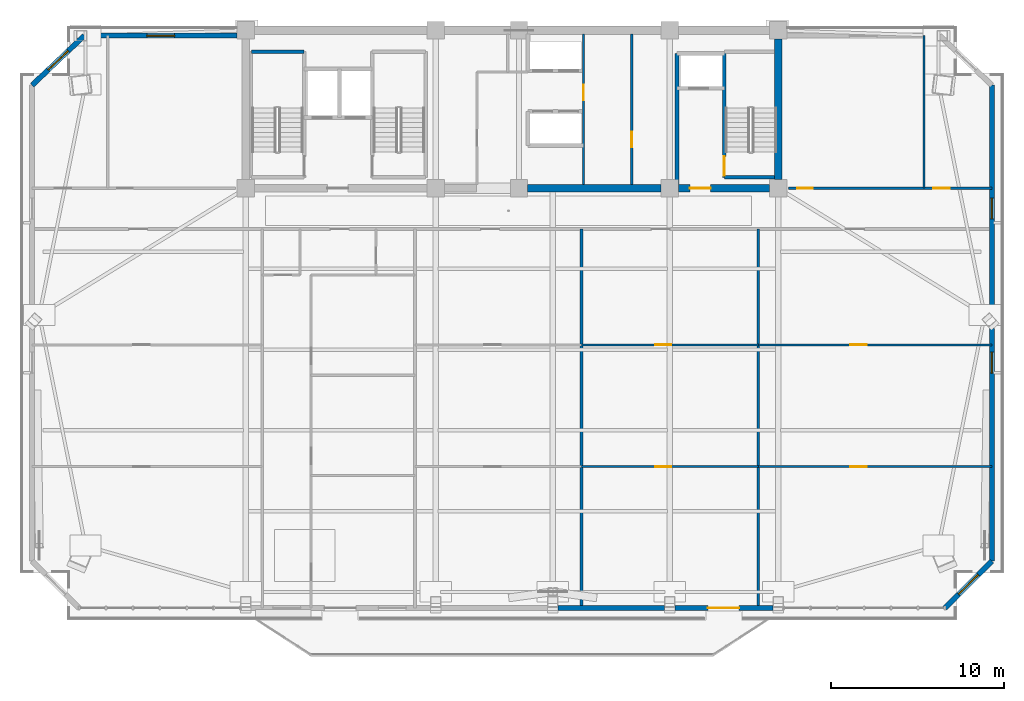
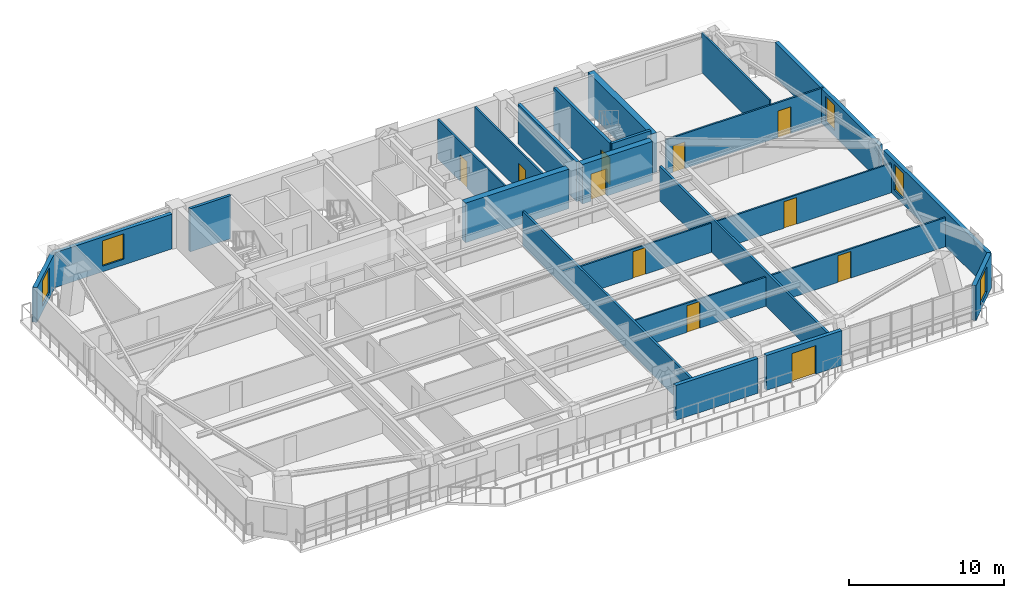
# One storey, part 10 of 16: 24 walls, 11 doors, 5 windows, 16 openings.
"""IFC4 building model written with IfcOpenShell, lengths in metres."""

from ifc_helpers import new_model, si_unit, direction, frame, frame_2d, origin, place, context, subcontext, project, spatial, rectangle, extrude, source, transform, mapped, material, layer, layer_set, type_object, element, fill, save


model = new_model("IFC4")

# Units and contexts
model_context = context("Model", 3, precision=1e-05, world=origin(), true_north=direction((0.0, 1.0)))
body_context = subcontext(model_context, "Body", "Model", "MODEL_VIEW")
ifc_project = project(units=[si_unit("LENGTHUNIT", "METRE"), si_unit("AREAUNIT", "SQUARE_METRE"), si_unit("VOLUMEUNIT", "CUBIC_METRE"), si_unit("PLANEANGLEUNIT", "RADIAN"), si_unit("MASSUNIT", "GRAM", prefix="KILO")], contexts=[model_context])

# Site, building, storey
site_placement = place(None, origin())
site = spatial("IfcSite", under=ifc_project, at=site_placement, CompositionType="ELEMENT")
building_placement = place(site_placement, origin())
building = spatial("IfcBuilding", under=site, at=building_placement, Name="Giltprow Tower", CompositionType="ELEMENT")
storey_placement = place(building_placement, frame((0.0, 0.0, 233.800048828125)))
storey = spatial("IfcBuildingStorey", under=building, at=storey_placement, Name="L59", CompositionType="ELEMENT", Elevation=233.800048828125)

# Wall, opening, window
ifc_material_1 = material(Name="Precast concrete C40", Category="concrete")
ifc_layer_1 = layer(ifc_material_1, 0.300048828125, Name="Precast concrete C40")
ifc_layer_set_1 = layer_set([ifc_layer_1], Name="Precast concrete C40")
wall_type_1 = type_object("IfcWallType", Name="EW-NOTCH-CHAMFER-300", PredefinedType="SOLIDWALL", material=ifc_layer_set_1)
wall_1_placement = place(storey_placement, frame((60.159912109375, 13.25, 0.0), z_axis=(0.0, 0.0, 1.0), x_axis=(0.707106781187, 0.707106781187, 0.0)))
wall_1 = element("IfcWall", 1, at=wall_1_placement, inside=storey, type_object=wall_type_1, Name="L59 Corner Notch Wall SE", PredefinedType="SOLIDWALL", context=body_context, shape_type="SweptSolid", body=[
    extrude(rectangle(XDim=3.828369140625, YDim=0.300048828125, at=frame_2d((1.9140625, 0.0))), origin(), (0.0, 0.0, 1.0), 2.75),
])
opening_1_placement = place(wall_1_placement, frame((1.114013671875, 0.0, 0.449951171875)))
opening_1 = element("IfcOpeningElement", 2, at=opening_1_placement, cuts=wall_1, Name="Opening WN17", PredefinedType="OPENING", context=body_context, shape_type="SweptSolid", body=[
    extrude(rectangle(XDim=1.60009765625, YDim=2.0, at=frame_2d((0.800048828125, 1.0))), frame((0.0, 0.159912109375, 0.0), z_axis=(0.0, -1.0, 0.0), x_axis=(1.0, 0.0, 0.0)), (0.0, 0.0, 1.0), 0.320068359375),
])
ifc_material_2 = material(Name="Insulated glass", Category="glass")
window_type_1 = type_object("IfcWindowType", Name="WN-COR-1600x2000", PartitioningType="SINGLE_PANEL", PredefinedType="WINDOW", material=ifc_material_2)
shared_shape_1 = source(origin(), body_context, "Body", "SweptSolid", [
    extrude(rectangle(XDim=1.60009765625, YDim=2.0, at=frame_2d((0.800048828125, 1.0))), frame((0.0, 0.030029296875, 0.0), z_axis=(0.0, -1.0, 0.0), x_axis=(1.0, 0.0, 0.0)), (0.0, 0.0, 1.0), 0.06005859375),
])
window_1_placement = place(opening_1_placement, origin())
window_1 = element("IfcWindow", 3, at=window_1_placement, inside=storey, type_object=window_type_1, Name="L59 Corner Notch Window SE", OverallHeight=2.0, OverallWidth=1.60009765625, PartitioningType="SINGLE_PANEL", PredefinedType="WINDOW", context=body_context, shape_type="MappedRepresentation", body=[
    mapped(shared_shape_1, transform((0.0, 0.0, 0.0), x_axis=(1.0, 0.0, 0.0), y_axis=(0.0, 1.0, 0.0), z_axis=(0.0, 0.0, 1.0), scale=1.0)),
])
fill(opening_1, window_1)

wall_2_placement = place(storey_placement, frame((10.5400390625, 46.25, 0.0), z_axis=(0.0, 0.0, 1.0), x_axis=(-0.724974450633, -0.688775758814, 0.0)))
wall_2 = element("IfcWall", 4, at=wall_2_placement, inside=storey, type_object=wall_type_1, Name="L59 Corner Notch Wall NW", PredefinedType="SOLIDWALL", context=body_context, shape_type="SweptSolid", body=[
    extrude(rectangle(XDim=4.14794921875, YDim=0.300048828125, at=frame_2d((2.073974609375, 0.0))), origin(), (0.0, 0.0, 1.0), 2.75),
])
opening_2_placement = place(wall_2_placement, frame((1.27392578125, 0.0, 0.449951171875)))
opening_2 = element("IfcOpeningElement", 5, at=opening_2_placement, cuts=wall_2, Name="Opening WN17", PredefinedType="OPENING", context=body_context, shape_type="SweptSolid", body=[
    extrude(rectangle(XDim=1.60009765625, YDim=2.0, at=frame_2d((0.800048828125, 1.0))), frame((0.0, 0.159912109375, 0.0), z_axis=(0.0, -1.0, 0.0), x_axis=(1.0, 0.0, 0.0)), (0.0, 0.0, 1.0), 0.320068359375),
])
window_2_placement = place(opening_2_placement, origin())
window_2 = element("IfcWindow", 6, at=window_2_placement, inside=storey, type_object=window_type_1, Name="L59 Corner Notch Window NW", OverallHeight=2.0, OverallWidth=1.60009765625, PartitioningType="SINGLE_PANEL", PredefinedType="WINDOW", context=body_context, shape_type="MappedRepresentation", body=[
    mapped(shared_shape_1, transform((0.0, 0.0, 0.0), x_axis=(1.0, 0.0, 0.0), y_axis=(0.0, 1.0, 0.0), z_axis=(0.0, 0.0, 1.0), scale=1.0)),
])
fill(opening_2, window_2)

# Wall
ifc_layer_2 = layer(ifc_material_1, 0.280029296875, Name="Precast concrete C40")
ifc_layer_set_2 = layer_set([ifc_layer_2], Name="Precast concrete C40")
wall_type_2 = type_object("IfcWallType", Name="EW-TOW-BRONZE-280", PredefinedType="SOLIDWALL", material=ifc_layer_set_2)
wall_3_placement = place(storey_placement, frame((37.85009765625, 13.25, 0.0), z_axis=(0.0, 0.0, 1.0), x_axis=(1.0, 0.0, 0.0)))
element("IfcWall", 7, at=wall_3_placement, inside=storey, type_object=wall_type_2, Name="L59 South Expressed Frame Wall 4", PredefinedType="SOLIDWALL", context=body_context, shape_type="SweptSolid", body=[
    extrude(rectangle(XDim=6.14990234375, YDim=0.280029296875, at=frame_2d((3.074951171875, 0.0))), origin(), (0.0, 0.0, 1.0), 2.75),
])

# Wall, opening, door
wall_4_placement = place(storey_placement, frame((44.60009765625, 13.25, 0.0), z_axis=(0.0, 0.0, 1.0), x_axis=(1.0, 0.0, 0.0)))
wall_4 = element("IfcWall", 8, at=wall_4_placement, inside=storey, type_object=wall_type_2, Name="L59 South Expressed Frame Wall 5", PredefinedType="SOLIDWALL", context=body_context, shape_type="SweptSolid", body=[
    extrude(rectangle(XDim=5.64990234375, YDim=0.280029296875, at=frame_2d((2.824951171875, 0.0))), origin(), (0.0, 0.0, 1.0), 2.75),
])
opening_3_placement = place(wall_4_placement, frame((1.89990234375, 0.0, 0.0)))
opening_3 = element("IfcOpeningElement", 9, at=opening_3_placement, cuts=wall_4, Name="Opening ED25", PredefinedType="OPENING", context=body_context, shape_type="SweptSolid", body=[
    extrude(rectangle(XDim=1.800048828125, YDim=2.25, at=frame_2d((0.89990234375, 1.125))), frame((0.0, 0.14990234375, 0.0), z_axis=(0.0, -1.0, 0.0), x_axis=(1.0, 0.0, 0.0)), (0.0, 0.0, 1.0), 0.300048828125),
])
ifc_material_3 = material(Name="Anodized bronze and glass", Category="glass")
door_type_1 = type_object("IfcDoorType", Name="DR-BALC-SLIDE-1800", OperationType="SLIDING_TO_LEFT", PredefinedType="DOOR", material=ifc_material_3)
shared_shape_2 = source(origin(), body_context, "Body", "SweptSolid", [
    extrude(rectangle(XDim=1.800048828125, YDim=2.25, at=frame_2d((0.89990234375, 1.125))), frame((0.0, 0.02490234375, 0.0), z_axis=(0.0, -1.0, 0.0), x_axis=(1.0, 0.0, 0.0)), (0.0, 0.0, 1.0), 0.050048828125),
])
door_1_placement = place(opening_3_placement, origin())
door_1 = element("IfcDoor", 10, at=door_1_placement, inside=storey, type_object=door_type_1, Name="L59 Waterfront Balcony Sliding Door 2", OperationType="SLIDING_TO_LEFT", OverallHeight=2.25, OverallWidth=1.800048828125, PredefinedType="DOOR", context=body_context, shape_type="MappedRepresentation", body=[
    mapped(shared_shape_2, transform((0.0, 0.0, 0.0), x_axis=(1.0, 0.0, 0.0), y_axis=(0.0, 1.0, 0.0), z_axis=(0.0, 0.0, 1.0), scale=1.0)),
])
fill(opening_3, door_1)

# Wall, opening, window
wall_5_placement = place(storey_placement, frame((62.866943359375, 15.95703125, 0.0), z_axis=(0.0, 0.0, 1.0), x_axis=(0.0, 1.0, 0.0)))
wall_5 = element("IfcWall", 11, at=wall_5_placement, inside=storey, type_object=wall_type_2, Name="L59 E Wing Masonry Wall 1", PredefinedType="SOLIDWALL", context=body_context, shape_type="SweptSolid", body=[
    extrude(rectangle(XDim=13.41796875, YDim=0.280029296875, at=frame_2d((6.708984375, 0.0))), origin(), (0.0, 0.0, 1.0), 2.75),
])
opening_4_placement = place(wall_5_placement, frame((10.837890625, 0.0, 0.449951171875)))
opening_4 = element("IfcOpeningElement", 12, at=opening_4_placement, cuts=wall_5, Name="Opening WN11", PredefinedType="OPENING", context=body_context, shape_type="SweptSolid", body=[
    extrude(rectangle(XDim=1.199951171875, YDim=2.0, at=frame_2d((0.60009765625, 1.0))), frame((0.0, 0.14990234375, 0.0), z_axis=(0.0, -1.0, 0.0), x_axis=(1.0, 0.0, 0.0)), (0.0, 0.0, 1.0), 0.300048828125),
])
window_type_2 = type_object("IfcWindowType", Name="WN-LANCET-1200x2000", PartitioningType="SINGLE_PANEL", PredefinedType="WINDOW", material=ifc_material_2)
shared_shape_3 = source(origin(), body_context, "Body", "SweptSolid", [
    extrude(rectangle(XDim=1.199951171875, YDim=2.0, at=frame_2d((0.60009765625, 1.0))), frame((0.0, 0.030029296875, 0.0), z_axis=(0.0, -1.0, 0.0), x_axis=(1.0, 0.0, 0.0)), (0.0, 0.0, 1.0), 0.06005859375),
])
window_3_placement = place(opening_4_placement, origin())
window_3 = element("IfcWindow", 13, at=window_3_placement, inside=storey, type_object=window_type_2, Name="L59 E Wing Window 1-1", OverallHeight=2.0, OverallWidth=1.199951171875, PartitioningType="SINGLE_PANEL", PredefinedType="WINDOW", context=body_context, shape_type="MappedRepresentation", body=[
    mapped(shared_shape_3, transform((0.0, 0.0, 0.0), x_axis=(1.0, 0.0, 0.0), y_axis=(0.0, 1.0, 0.0), z_axis=(0.0, 0.0, 1.0), scale=1.0)),
])
fill(opening_4, window_3)

wall_6_placement = place(storey_placement, frame((62.866943359375, 29.97509765625, 0.0), z_axis=(0.0, 0.0, 1.0), x_axis=(0.0, 1.0, 0.0)))
wall_6 = element("IfcWall", 14, at=wall_6_placement, inside=storey, type_object=wall_type_2, Name="L59 E Wing Masonry Wall 2", PredefinedType="SOLIDWALL", context=body_context, shape_type="SweptSolid", body=[
    extrude(rectangle(XDim=13.41796875, YDim=0.280029296875, at=frame_2d((6.708984375, 0.0))), origin(), (0.0, 0.0, 1.0), 2.75),
])
opening_5_placement = place(wall_6_placement, frame((5.705078125, 0.0, 0.449951171875)))
opening_5 = element("IfcOpeningElement", 15, at=opening_5_placement, cuts=wall_6, Name="Opening WN11", PredefinedType="OPENING", context=body_context, shape_type="SweptSolid", body=[
    extrude(rectangle(XDim=1.199951171875, YDim=2.0, at=frame_2d((0.60009765625, 1.0))), frame((0.0, 0.14990234375, 0.0), z_axis=(0.0, -1.0, 0.0), x_axis=(1.0, 0.0, 0.0)), (0.0, 0.0, 1.0), 0.300048828125),
])
window_4_placement = place(opening_5_placement, origin())
window_4 = element("IfcWindow", 16, at=window_4_placement, inside=storey, type_object=window_type_2, Name="L59 E Wing Window 2-1", OverallHeight=2.0, OverallWidth=1.199951171875, PartitioningType="SINGLE_PANEL", PredefinedType="WINDOW", context=body_context, shape_type="MappedRepresentation", body=[
    mapped(shared_shape_3, transform((0.0, 0.0, 0.0), x_axis=(1.0, 0.0, 0.0), y_axis=(0.0, 1.0, 0.0), z_axis=(0.0, 0.0, 1.0), scale=1.0)),
])
fill(opening_5, window_4)

wall_7_placement = place(storey_placement, frame((10.5400390625, 46.25, 0.0), z_axis=(0.0, 0.0, 1.0), x_axis=(1.0, 0.0, 0.0)))
wall_7 = element("IfcWall", 17, at=wall_7_placement, inside=storey, type_object=wall_type_2, Name="L59 North-West Wing Wall", PredefinedType="SOLIDWALL", context=body_context, shape_type="SweptSolid", body=[
    extrude(rectangle(XDim=8.81005859375, YDim=0.280029296875, at=frame_2d((4.405029296875, 0.0))), origin(), (0.0, 0.0, 1.0), 2.75),
])
opening_6_placement = place(wall_7_placement, frame((3.60498046875, 0.0, 0.449951171875)))
opening_6 = element("IfcOpeningElement", 18, at=opening_6_placement, cuts=wall_7, Name="Opening WN17", PredefinedType="OPENING", context=body_context, shape_type="SweptSolid", body=[
    extrude(rectangle(XDim=1.60009765625, YDim=2.0, at=frame_2d((0.800048828125, 1.0))), frame((0.0, 0.14990234375, 0.0), z_axis=(0.0, -1.0, 0.0), x_axis=(1.0, 0.0, 0.0)), (0.0, 0.0, 1.0), 0.300048828125),
])
window_5_placement = place(opening_6_placement, origin())
window_5 = element("IfcWindow", 19, at=window_5_placement, inside=storey, type_object=window_type_1, Name="L59 North-West Window", OverallHeight=2.0, OverallWidth=1.60009765625, PartitioningType="SINGLE_PANEL", PredefinedType="WINDOW", context=body_context, shape_type="MappedRepresentation", body=[
    mapped(shared_shape_1, transform((0.0, 0.0, 0.0), x_axis=(1.0, 0.0, 0.0), y_axis=(0.0, 1.0, 0.0), z_axis=(0.0, 0.0, 1.0), scale=1.0)),
])
fill(opening_6, window_5)

# Walls
ifc_material_4 = material(Name="Gypsum stud partition", Category="gypsum")
ifc_layer_3 = layer(ifc_material_4, 0.159912109375, Name="Gypsum stud partition")
ifc_layer_set_3 = layer_set([ifc_layer_3], Name="Gypsum stud partition")
wall_type_3 = type_object("IfcWallType", Name="IW-DEMISE-160", PredefinedType="PARTITIONING", material=ifc_layer_set_3)
for number, where, z_axis, x_axis, name in (
    (20, (39.199951171875, 13.25, 0.0), (0.0, 0.0, 1.0), (0.0, 1.0, 0.0), "L59 Apartment Party Wall 3"),
    (21, (49.39990234375, 13.25, 0.0), (0.0, 0.0, 1.0), (0.0, 1.0, 0.0), "L59 Apartment Party Wall 4"),
):
    element("IfcWall", number, at=place(storey_placement, frame(where, z_axis=z_axis, x_axis=x_axis)), inside=storey, type_object=wall_type_3, Name=name, PredefinedType="PARTITIONING", context=body_context, shape_type="SweptSolid", body=[
        extrude(rectangle(XDim=21.85009765625, YDim=0.159912109375, at=frame_2d((10.925048828125, 0.0))), origin(), (0.0, 0.0, 1.0), 2.704833984375),
    ])

# Wall, opening, door
ifc_layer_4 = layer(ifc_material_4, 0.1201171875, Name="Gypsum stud partition")
ifc_layer_set_4 = layer_set([ifc_layer_4], Name="Gypsum stud partition")
wall_type_4 = type_object("IfcWallType", Name="IW-ROOM-120", PredefinedType="PARTITIONING", material=ifc_layer_set_4)
wall_8_placement = place(storey_placement, frame((39.199951171875, 21.39892578125, 0.0), z_axis=(0.0, 0.0, 1.0), x_axis=(1.0, 0.0, 0.0)))
wall_8 = element("IfcWall", 22, at=wall_8_placement, inside=storey, type_object=wall_type_4, Name="L59 Special Split 1", PredefinedType="PARTITIONING", context=body_context, shape_type="SweptSolid", body=[
    extrude(rectangle(XDim=10.199951171875, YDim=0.1201171875, at=frame_2d((5.10009765625, 0.0))), origin(), (0.0, 0.0, 1.0), 2.304931640625),
])
opening_7_placement = place(wall_8_placement, frame((4.24609375, 0.0, 0.0)))
opening_7 = element("IfcOpeningElement", 23, at=opening_7_placement, cuts=wall_8, Name="Opening ID11", PredefinedType="OPENING", context=body_context, shape_type="SweptSolid", body=[
    extrude(rectangle(XDim=0.949951171875, YDim=2.10009765625, at=frame_2d((0.47509765625, 1.050048828125))), frame((0.0, 0.070068359375, 0.0), z_axis=(0.0, -1.0, 0.0), x_axis=(1.0, 0.0, 0.0)), (0.0, 0.0, 1.0), 0.14013671875),
])
ifc_material_5 = material(Name="Engineered timber", Category="wood")
door_type_2 = type_object("IfcDoorType", Name="DR-ROOM-950", OperationType="SINGLE_SWING_RIGHT", PredefinedType="DOOR", material=ifc_material_5)
shared_shape_4 = source(origin(), body_context, "Body", "SweptSolid", [
    extrude(rectangle(XDim=0.949951171875, YDim=2.10009765625, at=frame_2d((0.47509765625, 1.050048828125))), frame((0.0, 0.02490234375, 0.0), z_axis=(0.0, -1.0, 0.0), x_axis=(1.0, 0.0, 0.0)), (0.0, 0.0, 1.0), 0.050048828125),
])
door_2_placement = place(opening_7_placement, origin())
door_2 = element("IfcDoor", 24, at=door_2_placement, inside=storey, type_object=door_type_2, Name="L59 Residents Sky Club Lounge South Door", OperationType="SINGLE_SWING_RIGHT", OverallHeight=2.10009765625, OverallWidth=0.949951171875, PredefinedType="DOOR", context=body_context, shape_type="MappedRepresentation", body=[
    mapped(shared_shape_4, transform((0.0, 0.0, 0.0), x_axis=(1.0, 0.0, 0.0), y_axis=(0.0, 1.0, 0.0), z_axis=(0.0, 0.0, 1.0), scale=1.0)),
])
fill(opening_7, door_2)

wall_9_placement = place(storey_placement, frame((39.199951171875, 28.416015625, 0.0), z_axis=(0.0, 0.0, 1.0), x_axis=(1.0, 0.0, 0.0)))
wall_9 = element("IfcWall", 25, at=wall_9_placement, inside=storey, type_object=wall_type_4, Name="L59 Special Split 2", PredefinedType="PARTITIONING", context=body_context, shape_type="SweptSolid", body=[
    extrude(rectangle(XDim=10.199951171875, YDim=0.1201171875, at=frame_2d((5.10009765625, 0.0))), origin(), (0.0, 0.0, 1.0), 2.304931640625),
])
opening_8_placement = place(wall_9_placement, frame((4.24609375, 0.0, 0.0)))
opening_8 = element("IfcOpeningElement", 26, at=opening_8_placement, cuts=wall_9, Name="Opening ID11", PredefinedType="OPENING", context=body_context, shape_type="SweptSolid", body=[
    extrude(rectangle(XDim=0.949951171875, YDim=2.10009765625, at=frame_2d((0.47509765625, 1.050048828125))), frame((0.0, 0.070068359375, 0.0), z_axis=(0.0, -1.0, 0.0), x_axis=(1.0, 0.0, 0.0)), (0.0, 0.0, 1.0), 0.14013671875),
])
door_3_placement = place(opening_8_placement, origin())
door_3 = element("IfcDoor", 27, at=door_3_placement, inside=storey, type_object=door_type_2, Name="L59 Residents Sky Club Lounge Mid Door", OperationType="SINGLE_SWING_LEFT", OverallHeight=2.10009765625, OverallWidth=0.949951171875, PredefinedType="DOOR", context=body_context, shape_type="MappedRepresentation", body=[
    mapped(shared_shape_4, transform((0.0, 0.0, 0.0), x_axis=(1.0, 0.0, 0.0), y_axis=(0.0, 1.0, 0.0), z_axis=(0.0, 0.0, 1.0), scale=1.0)),
])
fill(opening_8, door_3)

wall_10_placement = place(storey_placement, frame((49.39990234375, 21.39892578125, 0.0), z_axis=(0.0, 0.0, 1.0), x_axis=(1.0, 0.0, 0.0)))
wall_10 = element("IfcWall", 28, at=wall_10_placement, inside=storey, type_object=wall_type_4, Name="L59 Special Split 1", PredefinedType="PARTITIONING", context=body_context, shape_type="SweptSolid", body=[
    extrude(rectangle(XDim=13.467041015625, YDim=0.1201171875, at=frame_2d((6.7333984375, 0.0))), origin(), (0.0, 0.0, 1.0), 2.304931640625),
])
opening_9_placement = place(wall_10_placement, frame((5.306884765625, 0.0, 0.0)))
opening_9 = element("IfcOpeningElement", 29, at=opening_9_placement, cuts=wall_10, Name="Opening ID11", PredefinedType="OPENING", context=body_context, shape_type="SweptSolid", body=[
    extrude(rectangle(XDim=0.949951171875, YDim=2.10009765625, at=frame_2d((0.47509765625, 1.050048828125))), frame((0.0, 0.070068359375, 0.0), z_axis=(0.0, -1.0, 0.0), x_axis=(1.0, 0.0, 0.0)), (0.0, 0.0, 1.0), 0.14013671875),
])
door_4_placement = place(opening_9_placement, origin())
door_4 = element("IfcDoor", 30, at=door_4_placement, inside=storey, type_object=door_type_2, Name="L59 Sky Music Lounge South Door", OperationType="SINGLE_SWING_LEFT", OverallHeight=2.10009765625, OverallWidth=0.949951171875, PredefinedType="DOOR", context=body_context, shape_type="MappedRepresentation", body=[
    mapped(shared_shape_4, transform((0.0, 0.0, 0.0), x_axis=(1.0, 0.0, 0.0), y_axis=(0.0, 1.0, 0.0), z_axis=(0.0, 0.0, 1.0), scale=1.0)),
])
fill(opening_9, door_4)

wall_11_placement = place(storey_placement, frame((49.39990234375, 28.416015625, 0.0), z_axis=(0.0, 0.0, 1.0), x_axis=(1.0, 0.0, 0.0)))
wall_11 = element("IfcWall", 31, at=wall_11_placement, inside=storey, type_object=wall_type_4, Name="L59 Special Split 2", PredefinedType="PARTITIONING", context=body_context, shape_type="SweptSolid", body=[
    extrude(rectangle(XDim=13.467041015625, YDim=0.1201171875, at=frame_2d((6.7333984375, 0.0))), origin(), (0.0, 0.0, 1.0), 2.304931640625),
])
opening_10_placement = place(wall_11_placement, frame((5.306884765625, 0.0, 0.0)))
opening_10 = element("IfcOpeningElement", 32, at=opening_10_placement, cuts=wall_11, Name="Opening ID11", PredefinedType="OPENING", context=body_context, shape_type="SweptSolid", body=[
    extrude(rectangle(XDim=0.949951171875, YDim=2.10009765625, at=frame_2d((0.47509765625, 1.050048828125))), frame((0.0, 0.070068359375, 0.0), z_axis=(0.0, -1.0, 0.0), x_axis=(1.0, 0.0, 0.0)), (0.0, 0.0, 1.0), 0.14013671875),
])
door_5_placement = place(opening_10_placement, origin())
door_5 = element("IfcDoor", 33, at=door_5_placement, inside=storey, type_object=door_type_2, Name="L59 Sky Music Lounge Mid Door", OperationType="SINGLE_SWING_RIGHT", OverallHeight=2.10009765625, OverallWidth=0.949951171875, PredefinedType="DOOR", context=body_context, shape_type="MappedRepresentation", body=[
    mapped(shared_shape_4, transform((0.0, 0.0, 0.0), x_axis=(1.0, 0.0, 0.0), y_axis=(0.0, 1.0, 0.0), z_axis=(0.0, 0.0, 1.0), scale=1.0)),
])
fill(opening_10, door_5)

# Walls
ifc_material_6 = material(Name="Concrete C40", Category="concrete")
ifc_layer_5 = layer(ifc_material_6, 0.219970703125, Name="Concrete C40")
ifc_layer_set_5 = layer_set([ifc_layer_5], Name="Concrete C40")
wall_type_5 = type_object("IfcWallType", Name="IW-SHAFT-220", PredefinedType="SOLIDWALL", material=ifc_layer_set_5)
wall_12_placement = place(storey_placement, frame((44.719970703125, 37.655029296875, 0.0), z_axis=(0.0, 0.0, 1.0), x_axis=(0.0, 1.0, 0.0)))
element("IfcWall", 34, at=wall_12_placement, inside=storey, type_object=wall_type_5, Name="L59 East Firefighting Lobby West Wall", PredefinedType="SOLIDWALL", context=body_context, shape_type="SweptSolid", body=[
    extrude(rectangle(XDim=7.56494140625, YDim=0.219970703125, at=frame_2d((3.782470703125, 0.0))), origin(), (0.0, 0.0, 1.0), 3.119873046875),
])
ifc_layer_6 = layer(ifc_material_6, 0.199951171875, Name="Concrete C40")
ifc_layer_set_6 = layer_set([ifc_layer_6], Name="Concrete C40")
wall_type_6 = type_object("IfcWallType", Name="IW-STAIR-200", PredefinedType="SOLIDWALL", material=ifc_layer_set_6)
wall_13_placement = place(storey_placement, frame((20.169921875, 45.320068359375, 0.0), z_axis=(0.0, 0.0, 1.0), x_axis=(1.0, 0.0, 0.0)))
element("IfcWall", 35, at=wall_13_placement, inside=storey, type_object=wall_type_6, Name="L59 Stair ST-1 North Bearing Wall", PredefinedType="SOLIDWALL", context=body_context, shape_type="SweptSolid", body=[
    extrude(rectangle(XDim=3.050048828125, YDim=0.199951171875, at=frame_2d((1.52490234375, 0.0))), origin(), (0.0, 0.0, 1.0), 3.39990234375),
])

# Wall, opening, door
wall_14_placement = place(storey_placement, frame((47.43994140625, 38.070068359375, 0.0), z_axis=(0.0, 0.0, 1.0), x_axis=(0.0, 1.0, 0.0)))
wall_14 = element("IfcWall", 36, at=wall_14_placement, inside=storey, type_object=wall_type_6, Name="L59 Stair ST-3 West Bearing Wall", PredefinedType="SOLIDWALL", context=body_context, shape_type="SweptSolid", body=[
    extrude(rectangle(XDim=7.25, YDim=0.199951171875, at=frame_2d((3.625, 0.0))), origin(), (0.0, 0.0, 1.0), 3.39990234375),
])
opening_11_placement = place(wall_14_placement, frame((0.110107421875, 0.0, 0.0)))
opening_11 = element("IfcOpeningElement", 37, at=opening_11_placement, cuts=wall_14, Name="Opening ID33", PredefinedType="OPENING", context=body_context, shape_type="SweptSolid", body=[
    extrude(rectangle(XDim=1.10009765625, YDim=2.14990234375, at=frame_2d((0.550048828125, 1.074951171875))), frame((0.0, 0.10986328125, 0.0), z_axis=(0.0, -1.0, 0.0), x_axis=(1.0, 0.0, 0.0)), (0.0, 0.0, 1.0), 0.219970703125),
])
ifc_material_7 = material(Name="Steel fire leaf", Category="steel")
door_type_3 = type_object("IfcDoorType", Name="DR-STAIR-1100", OperationType="SINGLE_SWING_LEFT", PredefinedType="DOOR", material=ifc_material_7)
shared_shape_5 = source(origin(), body_context, "Body", "SweptSolid", [
    extrude(rectangle(XDim=1.10009765625, YDim=2.14990234375, at=frame_2d((0.550048828125, 1.074951171875))), frame((0.0, 0.02490234375, 0.0), z_axis=(0.0, -1.0, 0.0), x_axis=(1.0, 0.0, 0.0)), (0.0, 0.0, 1.0), 0.050048828125),
])
door_6_placement = place(opening_11_placement, origin())
door_6 = element("IfcDoor", 38, at=door_6_placement, inside=storey, type_object=door_type_3, Name="L59 Stair ST-3 Fire Door", OperationType="SINGLE_SWING_RIGHT", OverallHeight=2.14990234375, OverallWidth=1.10009765625, PredefinedType="DOOR", context=body_context, shape_type="MappedRepresentation", body=[
    mapped(shared_shape_5, transform((0.0, 0.0, 0.0), x_axis=(1.0, 0.0, 0.0), y_axis=(0.0, 1.0, 0.0), z_axis=(0.0, 0.0, 1.0), scale=1.0)),
])
fill(opening_11, door_6)

# Wall
wall_15_placement = place(storey_placement, frame((47.43994140625, 38.070068359375, 0.0), z_axis=(0.0, 0.0, 1.0), x_axis=(1.0, 0.0, 0.0)))
element("IfcWall", 39, at=wall_15_placement, inside=storey, type_object=wall_type_6, Name="L59 Stair ST-3 South Bearing Wall", PredefinedType="SOLIDWALL", context=body_context, shape_type="SweptSolid", body=[
    extrude(rectangle(XDim=2.905029296875, YDim=0.199951171875, at=frame_2d((1.45263671875, 0.0))), origin(), (0.0, 0.0, 1.0), 3.39990234375),
])

# Wall, opening, door
ifc_material_8 = material(Name="Concrete C30", Category="concrete")
ifc_layer_7 = layer(ifc_material_8, 0.1298828125, Name="Concrete C30")
ifc_layer_set_7 = layer_set([ifc_layer_7], Name="Concrete C30")
wall_type_7 = type_object("IfcWallType", Name="IW-WET-130", PredefinedType="PARTITIONING", material=ifc_layer_set_7)
wall_16_placement = place(storey_placement, frame((39.320068359375, 37.655029296875, 0.0), z_axis=(0.0, 0.0, 1.0), x_axis=(0.0, 1.0, 0.0)))
wall_16 = element("IfcWall", 40, at=wall_16_placement, inside=storey, type_object=wall_type_7, Name="L59 Reclaimed East Core Wall", PredefinedType="PARTITIONING", context=body_context, shape_type="SweptSolid", body=[
    extrude(rectangle(XDim=8.68994140625, YDim=0.1298828125, at=frame_2d((4.344970703125, 0.0))), origin(), (0.0, 0.0, 1.0), 3.119873046875),
])
opening_12_placement = place(wall_16_placement, frame((4.864990234375, 0.0, 0.0)))
opening_12 = element("IfcOpeningElement", 41, at=opening_12_placement, cuts=wall_16, Name="Opening ID35", PredefinedType="OPENING", context=body_context, shape_type="SweptSolid", body=[
    extrude(rectangle(XDim=0.89990234375, YDim=2.10009765625, at=frame_2d((0.449951171875, 1.050048828125))), frame((0.0, 0.074951171875, 0.0), z_axis=(0.0, -1.0, 0.0), x_axis=(1.0, 0.0, 0.0)), (0.0, 0.0, 1.0), 0.14990234375),
])
door_type_4 = type_object("IfcDoorType", Name="DR-SHAFT-900", OperationType="SINGLE_SWING_LEFT", PredefinedType="DOOR", material=ifc_material_7)
shared_shape_6 = source(origin(), body_context, "Body", "SweptSolid", [
    extrude(rectangle(XDim=0.89990234375, YDim=2.10009765625, at=frame_2d((0.449951171875, 1.050048828125))), frame((0.0, 0.02490234375, 0.0), z_axis=(0.0, -1.0, 0.0), x_axis=(1.0, 0.0, 0.0)), (0.0, 0.0, 1.0), 0.050048828125),
])
door_7_placement = place(opening_12_placement, origin())
door_7 = element("IfcDoor", 42, at=door_7_placement, inside=storey, type_object=door_type_4, Name="L59 Core Laundry Room Door", OperationType="SINGLE_SWING_RIGHT", OverallHeight=2.10009765625, OverallWidth=0.89990234375, PredefinedType="DOOR", context=body_context, shape_type="MappedRepresentation", body=[
    mapped(shared_shape_6, transform((0.0, 0.0, 0.0), x_axis=(1.0, 0.0, 0.0), y_axis=(0.0, 1.0, 0.0), z_axis=(0.0, 0.0, 1.0), scale=1.0)),
])
fill(opening_12, door_7)

wall_17_placement = place(storey_placement, frame((42.10009765625, 37.655029296875, 0.0), z_axis=(0.0, 0.0, 1.0), x_axis=(0.0, 1.0, 0.0)))
wall_17 = element("IfcWall", 43, at=wall_17_placement, inside=storey, type_object=wall_type_7, Name="L59 East Core Vertical Divider", PredefinedType="PARTITIONING", context=body_context, shape_type="SweptSolid", body=[
    extrude(rectangle(XDim=8.68994140625, YDim=0.1298828125, at=frame_2d((4.344970703125, 0.0))), origin(), (0.0, 0.0, 1.0), 3.119873046875),
])
opening_13_placement = place(wall_17_placement, frame((2.14501953125, 0.0, 0.0)))
opening_13 = element("IfcOpeningElement", 44, at=opening_13_placement, cuts=wall_17, Name="Opening ID35", PredefinedType="OPENING", context=body_context, shape_type="SweptSolid", body=[
    extrude(rectangle(XDim=0.89990234375, YDim=2.10009765625, at=frame_2d((0.449951171875, 1.050048828125))), frame((0.0, 0.074951171875, 0.0), z_axis=(0.0, -1.0, 0.0), x_axis=(1.0, 0.0, 0.0)), (0.0, 0.0, 1.0), 0.14990234375),
])
door_8_placement = place(opening_13_placement, origin())
door_8 = element("IfcDoor", 45, at=door_8_placement, inside=storey, type_object=door_type_4, Name="L59 Core Trunk Room Inner Door", OperationType="SINGLE_SWING_LEFT", OverallHeight=2.10009765625, OverallWidth=0.89990234375, PredefinedType="DOOR", context=body_context, shape_type="MappedRepresentation", body=[
    mapped(shared_shape_6, transform((0.0, 0.0, 0.0), x_axis=(1.0, 0.0, 0.0), y_axis=(0.0, 1.0, 0.0), z_axis=(0.0, 0.0, 1.0), scale=1.0)),
])
fill(opening_13, door_8)

# Wall, openings, doors
wall_18_placement = place(storey_placement, frame((51.14990234375, 37.449951171875, 0.0), z_axis=(0.0, 0.0, 1.0), x_axis=(1.0, 0.0, 0.0)))
wall_18 = element("IfcWall", 46, at=wall_18_placement, inside=storey, type_object=wall_type_7, Name="L59 NE Wing South Wall", PredefinedType="PARTITIONING", context=body_context, shape_type="SweptSolid", body=[
    extrude(rectangle(XDim=11.717041015625, YDim=0.1298828125, at=frame_2d((5.8583984375, 0.0))), origin(), (0.0, 0.0, 1.0), 2.7548828125),
])
opening_14_placement = place(wall_18_placement, frame((0.5, 0.0, 0.0)))
opening_14 = element("IfcOpeningElement", 47, at=opening_14_placement, cuts=wall_18, Name="Opening ID15", PredefinedType="OPENING", context=body_context, shape_type="SweptSolid", body=[
    extrude(rectangle(XDim=0.89990234375, YDim=2.10009765625, at=frame_2d((0.449951171875, 1.050048828125))), frame((0.0, 0.074951171875, 0.0), z_axis=(0.0, -1.0, 0.0), x_axis=(1.0, 0.0, 0.0)), (0.0, 0.0, 1.0), 0.14990234375),
])
opening_15_placement = place(wall_18_placement, frame((8.35107421875, 0.0, 0.0)))
opening_15 = element("IfcOpeningElement", 48, at=opening_15_placement, cuts=wall_18, Name="Opening ID11", PredefinedType="OPENING", context=body_context, shape_type="SweptSolid", body=[
    extrude(rectangle(XDim=0.949951171875, YDim=2.10009765625, at=frame_2d((0.47509765625, 1.050048828125))), frame((0.0, 0.074951171875, 0.0), z_axis=(0.0, -1.0, 0.0), x_axis=(1.0, 0.0, 0.0)), (0.0, 0.0, 1.0), 0.14990234375),
])
door_type_5 = type_object("IfcDoorType", Name="DR-WC-900", OperationType="SINGLE_SWING_LEFT", PredefinedType="DOOR", material=ifc_material_5)
door_9_placement = place(opening_14_placement, origin())
door_9 = element("IfcDoor", 49, at=door_9_placement, inside=storey, type_object=door_type_5, Name="L59 East Wing Washroom Door", OperationType="SINGLE_SWING_RIGHT", OverallHeight=2.10009765625, OverallWidth=0.89990234375, PredefinedType="DOOR", context=body_context, shape_type="MappedRepresentation", body=[
    mapped(shared_shape_6, transform((0.0, 0.0, 0.0), x_axis=(1.0, 0.0, 0.0), y_axis=(0.0, 1.0, 0.0), z_axis=(0.0, 0.0, 1.0), scale=1.0)),
])
fill(opening_14, door_9)
door_10_placement = place(opening_15_placement, origin())
door_10 = element("IfcDoor", 50, at=door_10_placement, inside=storey, type_object=door_type_2, Name="L59 Residents Reading Lounge Door", OperationType="SINGLE_SWING_LEFT", OverallHeight=2.10009765625, OverallWidth=0.949951171875, PredefinedType="DOOR", context=body_context, shape_type="MappedRepresentation", body=[
    mapped(shared_shape_4, transform((0.0, 0.0, 0.0), x_axis=(1.0, 0.0, 0.0), y_axis=(0.0, 1.0, 0.0), z_axis=(0.0, 0.0, 1.0), scale=1.0)),
])
fill(opening_15, door_10)

# Walls
wall_19_placement = place(storey_placement, frame((58.950927734375, 37.449951171875, 0.0), z_axis=(0.0, 0.0, 1.0), x_axis=(0.0, 1.0, 0.0)))
element("IfcWall", 51, at=wall_19_placement, inside=storey, type_object=wall_type_7, Name="L59 NE Wing Divider", PredefinedType="PARTITIONING", context=body_context, shape_type="SweptSolid", body=[
    extrude(rectangle(XDim=8.800048828125, YDim=0.1298828125, at=frame_2d((4.39990234375, 0.0))), origin(), (0.0, 0.0, 1.0), 3.119873046875),
])
ifc_material_9 = material(Name="Concrete C50", Category="concrete")
ifc_layer_8 = layer(ifc_material_9, 0.449951171875, Name="Concrete C50")
ifc_layer_set_8 = layer_set([ifc_layer_8], Name="Concrete C50")
wall_type_8 = type_object("IfcWallType", Name="SW-INT-450-C50", PredefinedType="SHEAR", material=ifc_layer_set_8)
wall_20_placement = place(storey_placement, frame((36.10009765625, 37.449951171875, 0.0), z_axis=(0.0, 0.0, 1.0), x_axis=(1.0, 0.0, 0.0)))
element("IfcWall", 52, at=wall_20_placement, inside=storey, type_object=wall_type_8, Name="L59 South Rear Core Shear Wall Mid-East", PredefinedType="SHEAR", context=body_context, shape_type="SweptSolid", body=[
    extrude(rectangle(XDim=7.699951171875, YDim=0.449951171875, at=frame_2d((3.85009765625, 0.0))), origin(), (0.0, 0.0, 1.0), 3.119873046875),
])

# Wall, opening, door
wall_21_placement = place(storey_placement, frame((44.800048828125, 37.449951171875, 0.0), z_axis=(0.0, 0.0, 1.0), x_axis=(1.0, 0.0, 0.0)))
wall_21 = element("IfcWall", 53, at=wall_21_placement, inside=storey, type_object=wall_type_8, Name="L59 South Rear Core Shear Wall East", PredefinedType="SHEAR", context=body_context, shape_type="SweptSolid", body=[
    extrude(rectangle(XDim=5.25, YDim=0.449951171875, at=frame_2d((2.625, 0.0))), origin(), (0.0, 0.0, 1.0), 3.119873046875),
])
opening_16_placement = place(wall_21_placement, frame((0.64990234375, 0.0, 0.0)))
opening_16 = element("IfcOpeningElement", 54, at=opening_16_placement, cuts=wall_21, Name="Opening ID19", PredefinedType="OPENING", context=body_context, shape_type="SweptSolid", body=[
    extrude(rectangle(XDim=1.199951171875, YDim=2.14990234375, at=frame_2d((0.60009765625, 1.074951171875))), frame((0.0, 0.23486328125, 0.0), z_axis=(0.0, -1.0, 0.0), x_axis=(1.0, 0.0, 0.0)), (0.0, 0.0, 1.0), 0.469970703125),
])
door_type_6 = type_object("IfcDoorType", Name="DR-FFLOBBY-1200", OperationType="SINGLE_SWING_RIGHT", PredefinedType="DOOR", material=ifc_material_7)
shared_shape_7 = source(origin(), body_context, "Body", "SweptSolid", [
    extrude(rectangle(XDim=1.199951171875, YDim=2.14990234375, at=frame_2d((0.60009765625, 1.074951171875))), frame((0.0, 0.02490234375, 0.0), z_axis=(0.0, -1.0, 0.0), x_axis=(1.0, 0.0, 0.0)), (0.0, 0.0, 1.0), 0.050048828125),
])
door_11_placement = place(opening_16_placement, origin())
door_11 = element("IfcDoor", 55, at=door_11_placement, inside=storey, type_object=door_type_6, Name="L59 East Firefighting Lobby Entry Door", OperationType="SINGLE_SWING_RIGHT", OverallHeight=2.14990234375, OverallWidth=1.199951171875, PredefinedType="DOOR", context=body_context, shape_type="MappedRepresentation", body=[
    mapped(shared_shape_7, transform((0.0, 0.0, 0.0), x_axis=(1.0, 0.0, 0.0), y_axis=(0.0, 1.0, 0.0), z_axis=(0.0, 0.0, 1.0), scale=1.0)),
])
fill(opening_16, door_11)

# Wall
wall_22_placement = place(storey_placement, frame((50.550048828125, 37.949951171875, 0.0), z_axis=(0.0, 0.0, 1.0), x_axis=(0.0, 1.0, 0.0)))
element("IfcWall", 56, at=wall_22_placement, inside=storey, type_object=wall_type_8, Name="L59 E Rear Core Shear Wall", PredefinedType="SHEAR", context=body_context, shape_type="SweptSolid", body=[
    extrude(rectangle(XDim=8.10009765625, YDim=0.449951171875, at=frame_2d((4.050048828125, 0.0))), origin(), (0.0, 0.0, 1.0), 3.119873046875),
])

save(model, "model.ifc")
